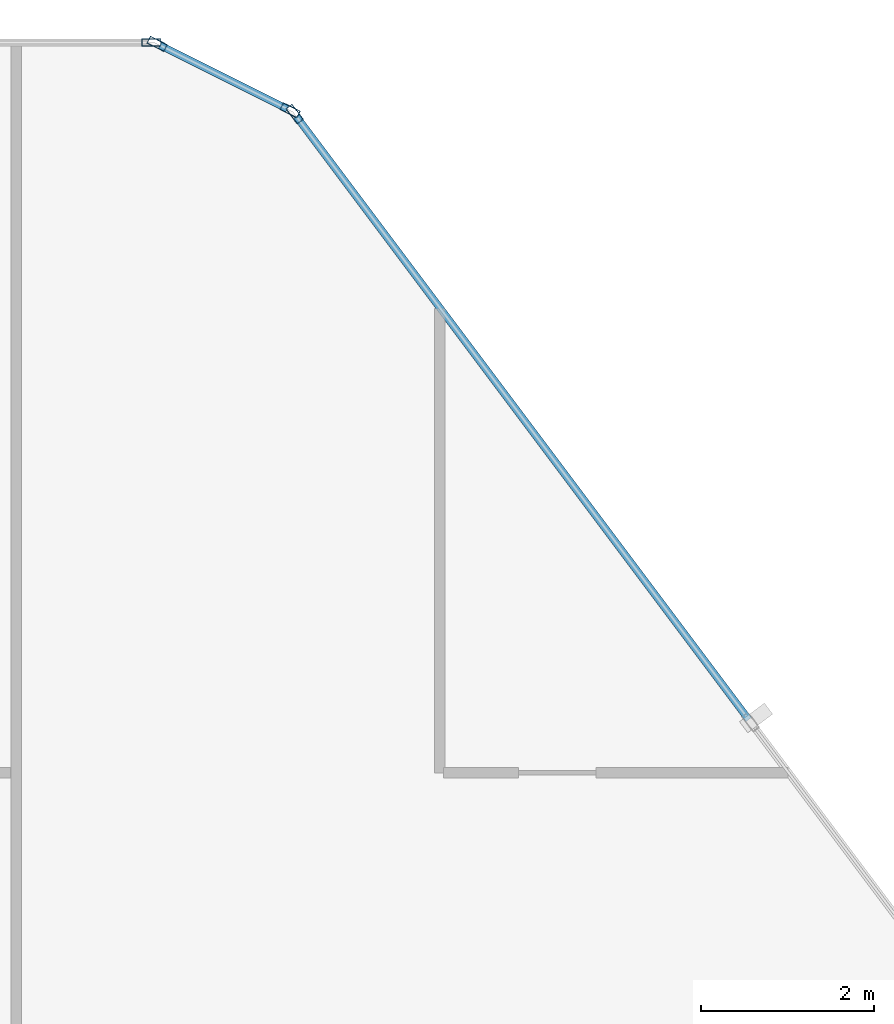
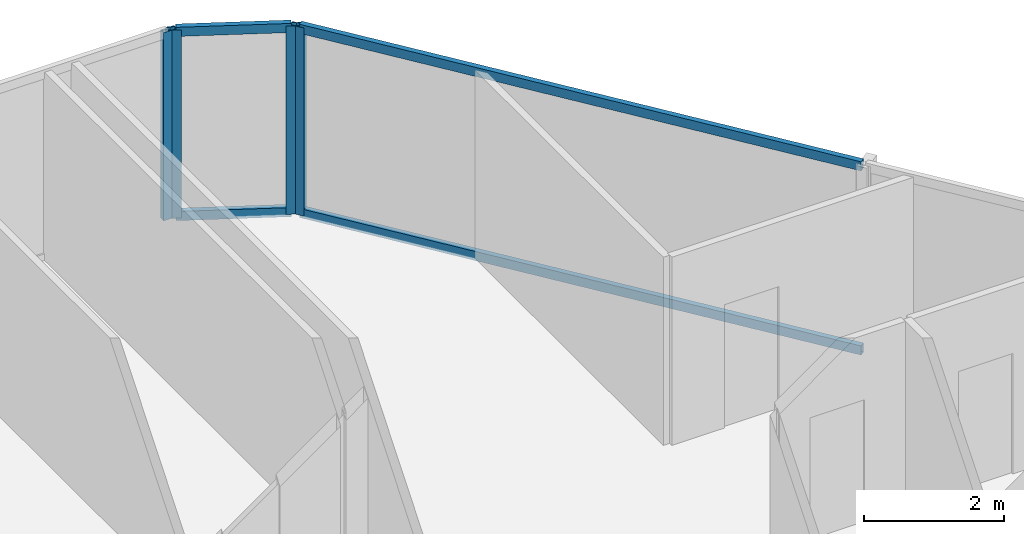
# One storey, part 17 of 34: 8 members, 3 elements without a shape of their own.
"""IFC4 building model written with IfcOpenShell, lengths in metres."""

from ifc_helpers import new_model, si_unit, direction, frame, origin, origin_2d, place, context, subcontext, project, spatial, hollow_rectangle, extrude, material, layer, layer_set, material_profile, profile_set, type_object, element, aggregate, save


model = new_model("IFC4")

# Units and contexts
model_context = context("Model", 3, precision=1e-05, world=origin(), true_north=direction((0.0, 1.0)))
body_context = subcontext(model_context, "Body", "Model", "MODEL_VIEW")
ifc_project = project(units=[si_unit("LENGTHUNIT", "METRE"), si_unit("AREAUNIT", "SQUARE_METRE"), si_unit("VOLUMEUNIT", "CUBIC_METRE"), si_unit("PLANEANGLEUNIT", "RADIAN"), si_unit("MASSUNIT", "GRAM", prefix="KILO")], contexts=[model_context])

# Site, building, storey
site_placement = place(None, origin())
site = spatial("IfcSite", under=ifc_project, at=site_placement, CompositionType="ELEMENT")
building_placement = place(site_placement, origin())
building = spatial("IfcBuilding", under=site, at=building_placement, Name="Keshet Zoharim Tower", CompositionType="ELEMENT")
storey_placement = place(building_placement, frame((0.0, 0.0, 77.5)))
storey = spatial("IfcBuildingStorey", under=building, at=storey_placement, Name="L18", CompositionType="ELEMENT", Elevation=77.5)

# Curtain wall, member
ifc_material = material(Name="Aluminium 6063-T6", Category="aluminium")
ifc_layer = layer(ifc_material, 0.169921875)
ifc_layer_set = layer_set([ifc_layer], Name="Aluminium 6063-T6")
curtain_wall_type = type_object("IfcCurtainWallType", Name="CW-SYS-02", PredefinedType="NOTDEFINED", material=ifc_layer_set)
curtain_wall_1_placement = place(storey_placement, origin())
curtain_wall_1 = element("IfcCurtainWall", 1, at=curtain_wall_1_placement, inside=storey, type_object=curtain_wall_type, Name="L18 Unitised Curtain Wall 07 Part 3", PredefinedType="NOTDEFINED")
ifc_material_profile_1 = material_profile(ifc_material, hollow_rectangle(XDim=0.090087890625, YDim=0.219970703125, WallThickness=0.0048828125, at=origin_2d()), Name="MUL-90x220")
ifc_profile_set_1 = profile_set([ifc_material_profile_1], Name="Aluminium 6063-T6")
member_type_1 = type_object("IfcMemberType", Name="CWM-M22", PredefinedType="MULLION", material=ifc_profile_set_1)
member_1_placement = place(storey_placement, frame((49.965087890625, 53.89990234375, 0.0), z_axis=(0.0, 0.0, 1.0), x_axis=(0.0, 1.0, 0.0)))
member_1 = element("IfcMember", 2, at=member_1_placement, type_object=member_type_1, Name="CW-02 mullion 4", PredefinedType="MULLION", context=body_context, shape_type="SweptSolid", body=[
    extrude(hollow_rectangle(XDim=0.090087890625, YDim=0.219970703125, WallThickness=0.0048828125, at=origin_2d()), origin(), (0.0, 0.0, 1.0), 3.280029296875),
])
aggregate(curtain_wall_1, [member_1])

# Curtain wall, members
curtain_wall_2_placement = place(storey_placement, origin())
curtain_wall_2 = element("IfcCurtainWall", 3, at=curtain_wall_2_placement, inside=storey, type_object=curtain_wall_type, Name="L18 Unitised Curtain Wall 08", PredefinedType="NOTDEFINED")
member_2_placement = place(storey_placement, frame((50.03125, 53.88427734375, 0.0), z_axis=(0.0, 0.0, 1.0), x_axis=(0.447213595499, 0.894427191001, 0.0)))
member_2 = element("IfcMember", 4, at=member_2_placement, type_object=member_type_1, Name="CW-02 mullion 1", PredefinedType="MULLION", context=body_context, shape_type="SweptSolid", body=[
    extrude(hollow_rectangle(XDim=0.090087890625, YDim=0.219970703125, WallThickness=0.0048828125, at=origin_2d()), origin(), (0.0, 0.0, 1.0), 3.280029296875),
])
member_3_placement = place(storey_placement, frame((51.568603515625, 53.11572265625, 0.0), z_axis=(0.0, 0.0, 1.0), x_axis=(0.447213595499, 0.894427191001, 0.0)))
member_3 = element("IfcMember", 5, at=member_3_placement, type_object=member_type_1, Name="CW-02 mullion 2", PredefinedType="MULLION", context=body_context, shape_type="SweptSolid", body=[
    extrude(hollow_rectangle(XDim=0.090087890625, YDim=0.219970703125, WallThickness=0.0048828125, at=origin_2d()), origin(), (0.0, 0.0, 1.0), 3.280029296875),
])

# Curtain wall, member
curtain_wall_3_placement = place(storey_placement, origin())
curtain_wall_3 = element("IfcCurtainWall", 6, at=curtain_wall_3_placement, inside=storey, type_object=curtain_wall_type, Name="L18 Unitised Curtain Wall 09", PredefinedType="NOTDEFINED")
member_4_placement = place(storey_placement, frame((51.62109375, 53.072021484375, 0.0), z_axis=(0.0, 0.0, 1.0), x_axis=(0.799999999998, 0.600000000002, 0.0)))
member_4 = element("IfcMember", 7, at=member_4_placement, type_object=member_type_1, Name="CW-02 mullion 1", PredefinedType="MULLION", context=body_context, shape_type="SweptSolid", body=[
    extrude(hollow_rectangle(XDim=0.090087890625, YDim=0.219970703125, WallThickness=0.0048828125, at=origin_2d()), origin(), (0.0, 0.0, 1.0), 3.280029296875),
])

# Member
ifc_material_profile_2 = material_profile(ifc_material, hollow_rectangle(XDim=0.0849609375, YDim=0.159912109375, WallThickness=0.00439453125, at=origin_2d()), Name="TRN-85x160")
ifc_profile_set_2 = profile_set([ifc_material_profile_2], Name="Aluminium 6063-T6")
member_type_2 = type_object("IfcMemberType", Name="CWT-T16", PredefinedType="USERDEFINED", material=ifc_profile_set_2)
member_5_placement = place(storey_placement, frame((50.0625, 53.86865234375, 0.034912109375), z_axis=(0.894456801911, -0.447154368775, 0.0), x_axis=(0.447154368775, 0.894456801911, 0.0)))
member_5 = element("IfcMember", 8, at=member_5_placement, type_object=member_type_2, Name="CW-02 transom 1.1", ObjectType="TRANSOM", PredefinedType="USERDEFINED", context=body_context, shape_type="SweptSolid", body=[
    extrude(hollow_rectangle(XDim=0.0849609375, YDim=0.159912109375, WallThickness=0.00439453125, at=origin_2d()), origin(), (0.0, 0.0, 1.0), 1.64892578125),
])

member_6_placement = place(storey_placement, frame((50.0625, 53.86865234375, 3.2451171875), z_axis=(0.894456801911, -0.447154368775, 0.0), x_axis=(0.447154368775, 0.894456801911, 0.0)))
member_6 = element("IfcMember", 9, at=member_6_placement, type_object=member_type_2, Name="CW-02 transom 1.2", ObjectType="TRANSOM", PredefinedType="USERDEFINED", context=body_context, shape_type="SweptSolid", body=[
    extrude(hollow_rectangle(XDim=0.0849609375, YDim=0.159912109375, WallThickness=0.00439453125, at=origin_2d()), origin(), (0.0, 0.0, 1.0), 1.64892578125),
])

aggregate(curtain_wall_2, [member_2, member_3, member_5, member_6])

member_7_placement = place(storey_placement, frame((51.64208984375, 53.0439453125, 0.034912109375), z_axis=(0.599991043201, -0.800006717521, 0.0), x_axis=(0.800006717521, 0.599991043201, 0.0)))
member_7 = element("IfcMember", 10, at=member_7_placement, type_object=member_type_2, Name="CW-02 transom 1.1", ObjectType="TRANSOM", PredefinedType="USERDEFINED", context=body_context, shape_type="SweptSolid", body=[
    extrude(hollow_rectangle(XDim=0.0849609375, YDim=0.159912109375, WallThickness=0.00439453125, at=origin_2d()), origin(), (0.0, 0.0, 1.0), 8.722412109375),
])

member_8_placement = place(storey_placement, frame((51.64208984375, 53.0439453125, 3.2451171875), z_axis=(0.599991043201, -0.800006717521, 0.0), x_axis=(0.800006717521, 0.599991043201, 0.0)))
member_8 = element("IfcMember", 11, at=member_8_placement, type_object=member_type_2, Name="CW-02 transom 1.2", ObjectType="TRANSOM", PredefinedType="USERDEFINED", context=body_context, shape_type="SweptSolid", body=[
    extrude(hollow_rectangle(XDim=0.0849609375, YDim=0.159912109375, WallThickness=0.00439453125, at=origin_2d()), origin(), (0.0, 0.0, 1.0), 8.722412109375),
])

aggregate(curtain_wall_3, [member_4, member_7, member_8])

save(model, "model.ifc")
